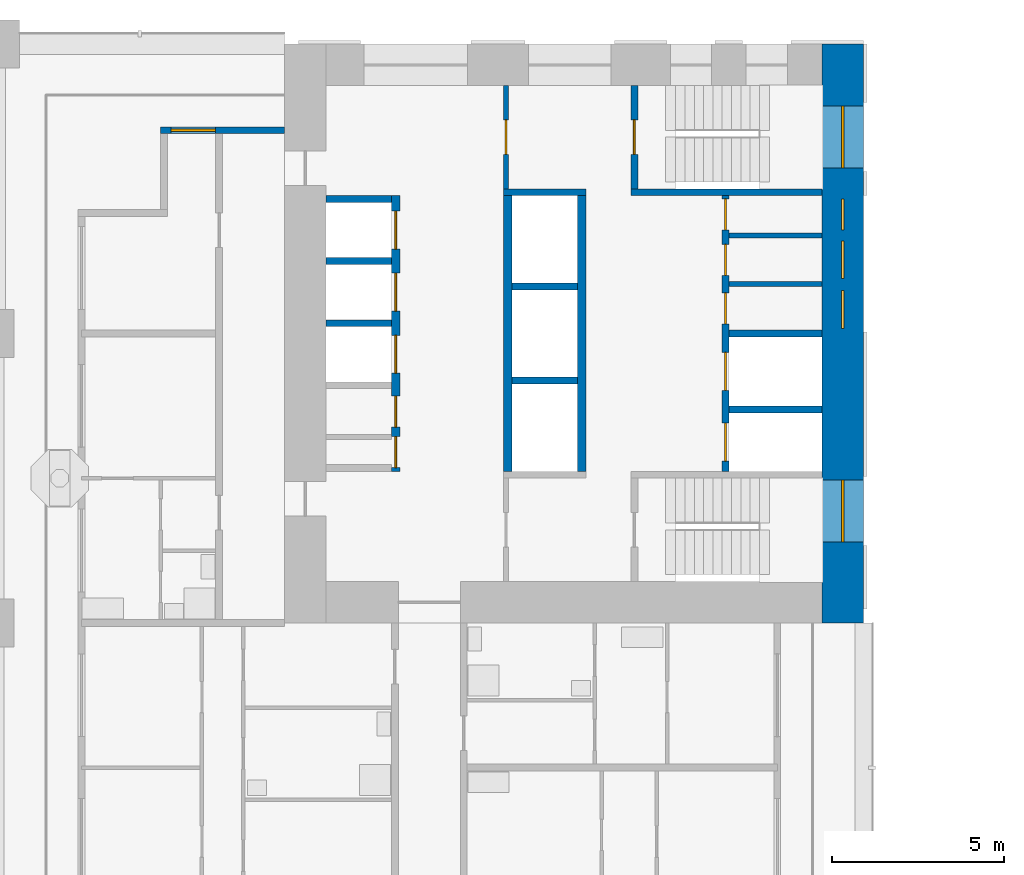
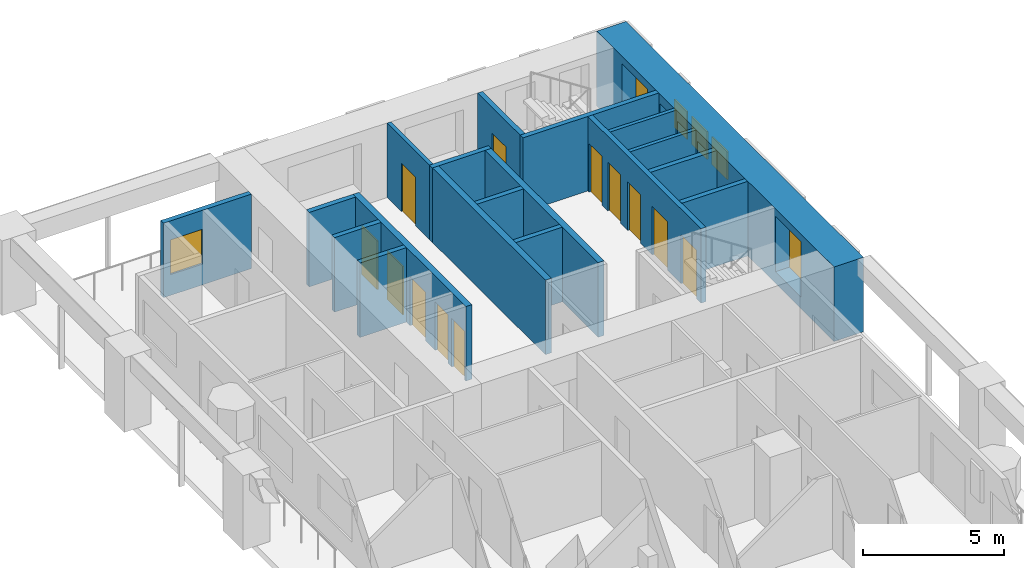
# One storey, part 10 of 22: 19 walls, 12 doors, 6 windows, 18 openings.
"""IFC4 building model written with IfcOpenShell, lengths in metres."""

from ifc_helpers import new_model, si_unit, direction, frame, frame_2d, origin, place, context, subcontext, project, spatial, rectangle, extrude, material, layer, layer_set, type_object, element, fill, save


model = new_model("IFC4")

# Units and contexts
model_context = context("Model", 3, precision=1e-05, world=origin(), true_north=direction((0.0, 1.0)))
body_context = subcontext(model_context, "Body", "Model", "MODEL_VIEW")
ifc_project = project(units=[si_unit("LENGTHUNIT", "METRE"), si_unit("AREAUNIT", "SQUARE_METRE"), si_unit("VOLUMEUNIT", "CUBIC_METRE"), si_unit("PLANEANGLEUNIT", "RADIAN"), si_unit("MASSUNIT", "GRAM", prefix="KILO")], contexts=[model_context])

# Site, building, storey
site_placement = place(None, origin())
site = spatial("IfcSite", under=ifc_project, at=site_placement, CompositionType="ELEMENT")
building_placement = place(site_placement, origin())
building = spatial("IfcBuilding", under=site, at=building_placement, Name="Vermilion Gate Residences", CompositionType="ELEMENT")
storey_placement = place(building_placement, frame((0.0, 0.0, 56.699951171875)))
storey = spatial("IfcBuildingStorey", under=building, at=storey_placement, Name="L13", CompositionType="ELEMENT", Elevation=56.699951171875)

# Walls
ifc_material_1 = material(Name="Masonry blockwork", Category="masonry")
ifc_layer_1 = layer(ifc_material_1, 0.14990234375)
ifc_layer_set_1 = layer_set([ifc_layer_1], Name="BLOCKWORK PARTITION 150 EI 120")
wall_type_1 = type_object("IfcWallType", Name="BLOCKWORK PARTITION 150 EI 120", PredefinedType="PARTITIONING", material=ifc_layer_set_1)
for number, where, z_axis, x_axis, name in (
    (1, (21.300048828125, 53.2451171875, 0.0), (0.0, 0.0, 1.0), (1.0, 0.0, 0.0), "Core room partition B13-NR-P0"),
    (2, (21.300048828125, 51.8349609375, 0.0), (0.0, 0.0, 1.0), (1.0, 0.0, 0.0), "Core room partition B13-NR-P1"),
):
    element("IfcWall", number, at=place(storey_placement, frame(where, z_axis=z_axis, x_axis=x_axis)), inside=storey, type_object=wall_type_1, Name=name, PredefinedType="PARTITIONING", context=body_context, shape_type="SweptSolid", body=[
        extrude(rectangle(XDim=2.699951171875, YDim=0.14990234375, at=frame_2d((1.35009765625, 0.0))), origin(), (0.0, 0.0, 1.0), 3.219970703125),
    ])

# Wall, opening, door
wall_1_placement = place(storey_placement, frame((14.824951171875, 57.60009765625, 0.0), z_axis=(0.0, 0.0, 1.0), x_axis=(0.0, -1.0, 0.0)))
wall_1 = element("IfcWall", 3, at=wall_1_placement, inside=storey, type_object=wall_type_1, Name="Core room partition B13-VW-S", PredefinedType="PARTITIONING", context=body_context, shape_type="SweptSolid", body=[
    extrude(rectangle(XDim=3.0, YDim=0.14990234375, at=frame_2d((1.5, 0.0))), origin(), (0.0, 0.0, 1.0), 3.219970703125),
])
opening_1_placement = place(wall_1_placement, frame((1.0, 0.0, 0.0)))
opening_1 = element("IfcOpeningElement", 4, at=opening_1_placement, cuts=wall_1, Name="Opening DK13114", PredefinedType="OPENING", context=body_context, shape_type="SweptSolid", body=[
    extrude(rectangle(XDim=1.0, YDim=2.10009765625, at=frame_2d((0.5, 1.050048828125))), frame((0.0, 0.0849609375, 0.0), z_axis=(0.0, -1.0, 0.0), x_axis=(1.0, 0.0, 0.0)), (0.0, 0.0, 1.0), 0.169921875),
])
ifc_material_2 = material(Name="Steel", Category="steel")
door_type_1 = type_object("IfcDoorType", Name="FIRE DOOR FD60 1000 X 2100", OperationType="SINGLE_SWING_LEFT", PredefinedType="DOOR", material=ifc_material_2)
door_1_placement = place(opening_1_placement, frame((1.0, 0.0, 0.0), z_axis=(0.0, 0.0, 1.0), x_axis=(-1.0, 0.0, 0.0)))
door_1 = element("IfcDoor", 5, at=door_1_placement, inside=storey, type_object=door_type_1, Name="Stair vestibule door B13", OperationType="SINGLE_SWING_RIGHT", OverallHeight=2.10009765625, OverallWidth=1.0, PredefinedType="DOOR", context=body_context, shape_type="SweptSolid", body=[
    extrude(rectangle(XDim=1.0, YDim=2.10009765625, at=frame_2d((0.5, 1.050048828125))), frame((0.0, 0.02490234375, 0.0), z_axis=(0.0, -1.0, 0.0), x_axis=(1.0, 0.0, 0.0)), (0.0, 0.0, 1.0), 0.050048828125),
])
fill(opening_1, door_1)

# Wall, opening, window
ifc_material_3 = material(Name="Insulated steel stud wall with terracotta rainscreen", Category="masonry")
ifc_layer_2 = layer(ifc_material_3, 0.199951171875)
ifc_layer_set_2 = layer_set([ifc_layer_2], Name="EXTERNAL WALL 200 TERRACOTTA RAINSCREEN")
wall_type_2 = type_object("IfcWallType", Name="EXTERNAL WALL 200 TERRACOTTA RAINSCREEN", PredefinedType="SOLIDWALL", material=ifc_layer_set_2)
wall_2_placement = place(storey_placement, frame((8.39990234375, 56.300048828125, 0.0), z_axis=(0.0, 0.0, 1.0), x_axis=(-1.0, 0.0, 0.0)))
wall_2 = element("IfcWall", 6, at=wall_2_placement, inside=storey, type_object=wall_type_2, Name="External wall", PredefinedType="SOLIDWALL", context=body_context, shape_type="SweptSolid", body=[
    extrude(rectangle(XDim=3.599853515625, YDim=0.199951171875, at=frame_2d((1.7998046875, 0.0))), origin(), (0.0, 0.0, 1.0), 3.219970703125),
])
opening_2_placement = place(wall_2_placement, frame((2.0, 0.0, 0.89990234375)))
opening_2 = element("IfcOpeningElement", 7, at=opening_2_placement, cuts=wall_2, Name="Opening WE13001", PredefinedType="OPENING", context=body_context, shape_type="SweptSolid", body=[
    extrude(rectangle(XDim=1.300048828125, YDim=1.5, at=frame_2d((0.64990234375, 0.75))), frame((0.0, 0.10986328125, 0.0), z_axis=(0.0, -1.0, 0.0), x_axis=(1.0, 0.0, 0.0)), (0.0, 0.0, 1.0), 0.219970703125),
])
ifc_material_4 = material(Name="Aluminium and clear glass", Category="aluminium")
window_type_1 = type_object("IfcWindowType", Name="WINDOW 1300 X 1500", PartitioningType="SINGLE_PANEL", PredefinedType="WINDOW", material=ifc_material_4)
window_1_placement = place(opening_2_placement, origin())
window_1 = element("IfcWindow", 8, at=window_1_placement, inside=storey, type_object=window_type_1, Name="Window", OverallHeight=1.5, OverallWidth=1.300048828125, PartitioningType="SINGLE_PANEL", PredefinedType="WINDOW", context=body_context, shape_type="SweptSolid", body=[
    extrude(rectangle(XDim=1.300048828125, YDim=1.5, at=frame_2d((0.64990234375, 0.75))), frame((0.0, 0.030029296875, 0.0), z_axis=(0.0, -1.0, 0.0), x_axis=(1.0, 0.0, 0.0)), (0.0, 0.0, 1.0), 0.06005859375),
])
fill(opening_2, window_1)

# Walls
ifc_material_5 = material(Name="Concrete C60", Category="concrete")
ifc_layer_3 = layer(ifc_material_5, 0.199951171875)
ifc_layer_set_3 = layer_set([ifc_layer_3], Name="RC CORE INTERNAL WALL 200 C60")
wall_type_3 = type_object("IfcWallType", Name="RC CORE INTERNAL WALL 200 C60", PredefinedType="SHEAR", material=ifc_layer_set_3)
for number, where, z_axis, x_axis, name in (
    (9, (9.60009765625, 54.300048828125, 0.0), (0.0, 0.0, 1.0), (1.0, 0.0, 0.0), "Core internal wall B13-LR-D0"),
    (10, (9.60009765625, 52.5, 0.0), (0.0, 0.0, 1.0), (1.0, 0.0, 0.0), "Core internal wall B13-LR-D1"),
    (11, (9.60009765625, 50.699951171875, 0.0), (0.0, 0.0, 1.0), (1.0, 0.0, 0.0), "Core internal wall B13-LR-D2"),
    (12, (15.0, 51.7666015625, 0.0), (0.0, 0.0, 1.0), (1.0, 0.0, 0.0), "Core internal wall B13-HR-D1"),
    (13, (15.0, 49.033447265625, 0.0), (0.0, 0.0, 1.0), (1.0, 0.0, 0.0), "Core internal wall B13-HR-D2"),
):
    element("IfcWall", number, at=place(storey_placement, frame(where, z_axis=z_axis, x_axis=x_axis)), inside=storey, type_object=wall_type_3, Name=name, PredefinedType="SHEAR", context=body_context, shape_type="SweptSolid", body=[
        extrude(rectangle(XDim=1.89990234375, YDim=0.199951171875, at=frame_2d((0.949951171875, 0.0))), origin(), (0.0, 0.0, 1.0), 3.219970703125),
    ])
for number, where, z_axis, x_axis, name in (
    (14, (21.300048828125, 50.39990234375, 0.0), (0.0, 0.0, 1.0), (1.0, 0.0, 0.0), "Core internal wall B13-FF-D0"),
    (15, (21.300048828125, 48.199951171875, 0.0), (0.0, 0.0, 1.0), (1.0, 0.0, 0.0), "Core internal wall B13-FF-D1"),
):
    element("IfcWall", number, at=place(storey_placement, frame(where, z_axis=z_axis, x_axis=x_axis)), inside=storey, type_object=wall_type_3, Name=name, PredefinedType="SHEAR", context=body_context, shape_type="SweptSolid", body=[
        extrude(rectangle(XDim=2.699951171875, YDim=0.199951171875, at=frame_2d((1.35009765625, 0.0))), origin(), (0.0, 0.0, 1.0), 3.219970703125),
    ])

# Wall, openings, doors
wall_3_placement = place(storey_placement, frame((21.199951171875, 54.39990234375, 0.0), z_axis=(0.0, 0.0, 1.0), x_axis=(0.0, -1.0, 0.0)))
wall_3 = element("IfcWall", 16, at=wall_3_placement, inside=storey, type_object=wall_type_3, Name="Core internal wall B13-FF-F", PredefinedType="SHEAR", context=body_context, shape_type="SweptSolid", body=[
    extrude(rectangle(XDim=8.0, YDim=0.199951171875, at=frame_2d((4.0, 0.0))), origin(), (0.0, 0.0, 1.0), 3.219970703125),
])
opening_3_placement = place(wall_3_placement, frame((0.090087890625, 0.0, 0.0)))
opening_3 = element("IfcOpeningElement", 17, at=opening_3_placement, cuts=wall_3, Name="Opening DK13109", PredefinedType="OPENING", context=body_context, shape_type="SweptSolid", body=[
    extrude(rectangle(XDim=0.89990234375, YDim=2.10009765625, at=frame_2d((0.449951171875, 1.050048828125))), frame((0.0, 0.10986328125, 0.0), z_axis=(0.0, -1.0, 0.0), x_axis=(1.0, 0.0, 0.0)), (0.0, 0.0, 1.0), 0.219970703125),
])
opening_4_placement = place(wall_3_placement, frame((1.409912109375, 0.0, 0.0)))
opening_4 = element("IfcOpeningElement", 18, at=opening_4_placement, cuts=wall_3, Name="Opening DK13110", PredefinedType="OPENING", context=body_context, shape_type="SweptSolid", body=[
    extrude(rectangle(XDim=0.89990234375, YDim=2.10009765625, at=frame_2d((0.449951171875, 1.050048828125))), frame((0.0, 0.10986328125, 0.0), z_axis=(0.0, -1.0, 0.0), x_axis=(1.0, 0.0, 0.0)), (0.0, 0.0, 1.0), 0.219970703125),
])
opening_5_placement = place(wall_3_placement, frame((2.820068359375, 0.0, 0.0)))
opening_5 = element("IfcOpeningElement", 19, at=opening_5_placement, cuts=wall_3, Name="Opening DK13111", PredefinedType="OPENING", context=body_context, shape_type="SweptSolid", body=[
    extrude(rectangle(XDim=0.89990234375, YDim=2.10009765625, at=frame_2d((0.449951171875, 1.050048828125))), frame((0.0, 0.10986328125, 0.0), z_axis=(0.0, -1.0, 0.0), x_axis=(1.0, 0.0, 0.0)), (0.0, 0.0, 1.0), 0.219970703125),
])
opening_6_placement = place(wall_3_placement, frame((4.550048828125, 0.0, 0.0)))
opening_6 = element("IfcOpeningElement", 20, at=opening_6_placement, cuts=wall_3, Name="Opening LD", PredefinedType="OPENING", context=body_context, shape_type="SweptSolid", body=[
    extrude(rectangle(XDim=1.10009765625, YDim=2.10009765625, at=frame_2d((0.550048828125, 1.050048828125))), frame((0.0, 0.10986328125, 0.0), z_axis=(0.0, -1.0, 0.0), x_axis=(1.0, 0.0, 0.0)), (0.0, 0.0, 1.0), 0.219970703125),
])
opening_7_placement = place(wall_3_placement, frame((6.60009765625, 0.0, 0.0)))
opening_7 = element("IfcOpeningElement", 21, at=opening_7_placement, cuts=wall_3, Name="Opening LD", PredefinedType="OPENING", context=body_context, shape_type="SweptSolid", body=[
    extrude(rectangle(XDim=1.10009765625, YDim=2.10009765625, at=frame_2d((0.550048828125, 1.050048828125))), frame((0.0, 0.10986328125, 0.0), z_axis=(0.0, -1.0, 0.0), x_axis=(1.0, 0.0, 0.0)), (0.0, 0.0, 1.0), 0.219970703125),
])
ifc_material_6 = material(Name="Stainless steel", Category="steel")
door_type_2 = type_object("IfcDoorType", Name="LIFT LANDING DOOR E60 1100 X 2100", OperationType="DOUBLE_DOOR_SLIDING", PredefinedType="DOOR", material=ifc_material_6)
door_2_placement = place(opening_6_placement, origin())
door_2 = element("IfcDoor", 22, at=door_2_placement, inside=storey, type_object=door_type_2, Name="Lift landing door LFB1", OperationType="DOUBLE_DOOR_SLIDING", OverallHeight=2.10009765625, OverallWidth=1.10009765625, PredefinedType="DOOR", context=body_context, shape_type="SweptSolid", body=[
    extrude(rectangle(XDim=1.10009765625, YDim=2.10009765625, at=frame_2d((0.550048828125, 1.050048828125))), frame((0.0, 0.02490234375, 0.0), z_axis=(0.0, -1.0, 0.0), x_axis=(1.0, 0.0, 0.0)), (0.0, 0.0, 1.0), 0.050048828125),
])
fill(opening_6, door_2)
door_3_placement = place(opening_7_placement, origin())
door_3 = element("IfcDoor", 23, at=door_3_placement, inside=storey, type_object=door_type_2, Name="Lift landing door LCB1", OperationType="DOUBLE_DOOR_SLIDING", OverallHeight=2.10009765625, OverallWidth=1.10009765625, PredefinedType="DOOR", context=body_context, shape_type="SweptSolid", body=[
    extrude(rectangle(XDim=1.10009765625, YDim=2.10009765625, at=frame_2d((0.550048828125, 1.050048828125))), frame((0.0, 0.02490234375, 0.0), z_axis=(0.0, -1.0, 0.0), x_axis=(1.0, 0.0, 0.0)), (0.0, 0.0, 1.0), 0.050048828125),
])
fill(opening_7, door_3)
ifc_material_7 = material(Name="Steel", Category="steel")
door_type_3 = type_object("IfcDoorType", Name="SERVICE ROOM DOOR FD60 900 X 2100", OperationType="SINGLE_SWING_LEFT", PredefinedType="DOOR", material=ifc_material_7)
door_4_placement = place(opening_3_placement, origin())
door_4 = element("IfcDoor", 24, at=door_4_placement, inside=storey, type_object=door_type_3, Name="Housekeeping store B13", OperationType="SINGLE_SWING_RIGHT", OverallHeight=2.10009765625, OverallWidth=0.89990234375, PredefinedType="DOOR", context=body_context, shape_type="SweptSolid", body=[
    extrude(rectangle(XDim=0.89990234375, YDim=2.10009765625, at=frame_2d((0.449951171875, 1.050048828125))), frame((0.0, 0.02490234375, 0.0), z_axis=(0.0, -1.0, 0.0), x_axis=(1.0, 0.0, 0.0)), (0.0, 0.0, 1.0), 0.050048828125),
])
fill(opening_3, door_4)
door_5_placement = place(opening_4_placement, origin())
door_5 = element("IfcDoor", 25, at=door_5_placement, inside=storey, type_object=door_type_3, Name="Mail room B13", OperationType="SINGLE_SWING_LEFT", OverallHeight=2.10009765625, OverallWidth=0.89990234375, PredefinedType="DOOR", context=body_context, shape_type="SweptSolid", body=[
    extrude(rectangle(XDim=0.89990234375, YDim=2.10009765625, at=frame_2d((0.449951171875, 1.050048828125))), frame((0.0, 0.02490234375, 0.0), z_axis=(0.0, -1.0, 0.0), x_axis=(1.0, 0.0, 0.0)), (0.0, 0.0, 1.0), 0.050048828125),
])
fill(opening_4, door_5)
door_6_placement = place(opening_5_placement, origin())
door_6 = element("IfcDoor", 26, at=door_6_placement, inside=storey, type_object=door_type_3, Name="Electrical riser B13", OperationType="SINGLE_SWING_LEFT", OverallHeight=2.10009765625, OverallWidth=0.89990234375, PredefinedType="DOOR", context=body_context, shape_type="SweptSolid", body=[
    extrude(rectangle(XDim=0.89990234375, YDim=2.10009765625, at=frame_2d((0.449951171875, 1.050048828125))), frame((0.0, 0.02490234375, 0.0), z_axis=(0.0, -1.0, 0.0), x_axis=(1.0, 0.0, 0.0)), (0.0, 0.0, 1.0), 0.050048828125),
])
fill(opening_5, door_6)

# Walls
wall_4_placement = place(storey_placement, frame((14.75, 54.5, 0.0), z_axis=(0.0, 0.0, 1.0), x_axis=(1.0, 0.0, 0.0)))
element("IfcWall", 27, at=wall_4_placement, inside=storey, type_object=wall_type_3, Name="Core internal wall B13-WDIV1", PredefinedType="SHEAR", context=body_context, shape_type="SweptSolid", body=[
    extrude(rectangle(XDim=2.39990234375, YDim=0.199951171875, at=frame_2d((1.199951171875, 0.0))), origin(), (0.0, 0.0, 1.0), 3.219970703125),
])
wall_5_placement = place(storey_placement, frame((18.449951171875, 54.5, 0.0), z_axis=(0.0, 0.0, 1.0), x_axis=(1.0, 0.0, 0.0)))
element("IfcWall", 28, at=wall_5_placement, inside=storey, type_object=wall_type_3, Name="Core internal wall B13-WDIV2", PredefinedType="SHEAR", context=body_context, shape_type="SweptSolid", body=[
    extrude(rectangle(XDim=5.550048828125, YDim=0.199951171875, at=frame_2d((2.77490234375, 0.0))), origin(), (0.0, 0.0, 1.0), 3.219970703125),
])

# Wall, opening, door
wall_6_placement = place(storey_placement, frame((18.550048828125, 57.60009765625, 0.0), z_axis=(0.0, 0.0, 1.0), x_axis=(0.0, -1.0, 0.0)))
wall_6 = element("IfcWall", 29, at=wall_6_placement, inside=storey, type_object=wall_type_3, Name="Core internal wall B13-STW-S", PredefinedType="SHEAR", context=body_context, shape_type="SweptSolid", body=[
    extrude(rectangle(XDim=3.0, YDim=0.199951171875, at=frame_2d((1.5, 0.0))), origin(), (0.0, 0.0, 1.0), 3.219970703125),
])
opening_8_placement = place(wall_6_placement, frame((1.0, 0.0, 0.0)))
opening_8 = element("IfcOpeningElement", 30, at=opening_8_placement, cuts=wall_6, Name="Opening DK13115", PredefinedType="OPENING", context=body_context, shape_type="SweptSolid", body=[
    extrude(rectangle(XDim=1.0, YDim=2.10009765625, at=frame_2d((0.5, 1.050048828125))), frame((0.0, 0.10986328125, 0.0), z_axis=(0.0, -1.0, 0.0), x_axis=(1.0, 0.0, 0.0)), (0.0, 0.0, 1.0), 0.219970703125),
])
door_7_placement = place(opening_8_placement, origin())
door_7 = element("IfcDoor", 31, at=door_7_placement, inside=storey, type_object=door_type_1, Name="Stair door B13", OperationType="SINGLE_SWING_LEFT", OverallHeight=2.10009765625, OverallWidth=1.0, PredefinedType="DOOR", context=body_context, shape_type="SweptSolid", body=[
    extrude(rectangle(XDim=1.0, YDim=2.10009765625, at=frame_2d((0.5, 1.050048828125))), frame((0.0, 0.02490234375, 0.0), z_axis=(0.0, -1.0, 0.0), x_axis=(1.0, 0.0, 0.0)), (0.0, 0.0, 1.0), 0.050048828125),
])
fill(opening_8, door_7)

# Wall, openings, windows
ifc_material_8 = material(Name="Concrete C80 red-oxide pigmented", Category="concrete")
ifc_layer_4 = layer(ifc_material_8, 1.199951171875)
ifc_layer_set_4 = layer_set([ifc_layer_4], Name="RC CORE WALL 1200 C80 RED OXIDE")
wall_type_4 = type_object("IfcWallType", Name="RC CORE WALL 1200 C80 RED OXIDE", PredefinedType="SHEAR", material=ifc_layer_set_4)
wall_7_placement = place(storey_placement, frame((24.60009765625, 58.800048828125, 0.0), z_axis=(0.0, 0.0, 1.0), x_axis=(0.0, -1.0, 0.0)))
wall_7 = element("IfcWall", 32, at=wall_7_placement, inside=storey, type_object=wall_type_4, Name="Core wall B13-OUT-B1", PredefinedType="SHEAR", context=body_context, shape_type="SweptSolid", body=[
    extrude(rectangle(XDim=16.800048828125, YDim=1.199951171875, at=frame_2d((8.39990234375, 0.0))), origin(), (0.0, 0.0, 1.0), 3.219970703125),
])
opening_9_placement = place(wall_7_placement, frame((1.800048828125, 0.0, 0.5)))
opening_9 = element("IfcOpeningElement", 33, at=opening_9_placement, cuts=wall_7, Name="Opening WKB1301", PredefinedType="OPENING", context=body_context, shape_type="SweptSolid", body=[
    extrude(rectangle(XDim=1.800048828125, YDim=2.39990234375, at=frame_2d((0.89990234375, 1.199951171875))), frame((0.0, 0.60986328125, 0.0), z_axis=(0.0, -1.0, 0.0), x_axis=(1.0, 0.0, 0.0)), (0.0, 0.0, 1.0), 1.219970703125),
])
opening_10_placement = place(wall_7_placement, frame((4.489990234375, 0.0, 1.60009765625)))
opening_10 = element("IfcOpeningElement", 34, at=opening_10_placement, cuts=wall_7, Name="Opening WKB1302", PredefinedType="OPENING", context=body_context, shape_type="SweptSolid", body=[
    extrude(rectangle(XDim=0.89990234375, YDim=1.199951171875, at=frame_2d((0.449951171875, 0.60009765625))), frame((0.0, 0.60986328125, 0.0), z_axis=(0.0, -1.0, 0.0), x_axis=(1.0, 0.0, 0.0)), (0.0, 0.0, 1.0), 1.219970703125),
])
opening_11_placement = place(wall_7_placement, frame((5.7099609375, 0.0, 1.60009765625)))
opening_11 = element("IfcOpeningElement", 35, at=opening_11_placement, cuts=wall_7, Name="Opening WKB1303", PredefinedType="OPENING", context=body_context, shape_type="SweptSolid", body=[
    extrude(rectangle(XDim=1.10009765625, YDim=1.199951171875, at=frame_2d((0.550048828125, 0.60009765625))), frame((0.0, 0.60986328125, 0.0), z_axis=(0.0, -1.0, 0.0), x_axis=(1.0, 0.0, 0.0)), (0.0, 0.0, 1.0), 1.219970703125),
])
opening_12_placement = place(wall_7_placement, frame((7.14990234375, 0.0, 1.60009765625)))
opening_12 = element("IfcOpeningElement", 36, at=opening_12_placement, cuts=wall_7, Name="Opening WKB1304", PredefinedType="OPENING", context=body_context, shape_type="SweptSolid", body=[
    extrude(rectangle(XDim=1.10009765625, YDim=1.199951171875, at=frame_2d((0.550048828125, 0.60009765625))), frame((0.0, 0.60986328125, 0.0), z_axis=(0.0, -1.0, 0.0), x_axis=(1.0, 0.0, 0.0)), (0.0, 0.0, 1.0), 1.219970703125),
])
opening_13_placement = place(wall_7_placement, frame((12.64990234375, 0.0, 0.5)))
opening_13 = element("IfcOpeningElement", 37, at=opening_13_placement, cuts=wall_7, Name="Opening WKB1305", PredefinedType="OPENING", context=body_context, shape_type="SweptSolid", body=[
    extrude(rectangle(XDim=1.800048828125, YDim=2.39990234375, at=frame_2d((0.89990234375, 1.199951171875))), frame((0.0, 0.60986328125, 0.0), z_axis=(0.0, -1.0, 0.0), x_axis=(1.0, 0.0, 0.0)), (0.0, 0.0, 1.0), 1.219970703125),
])
ifc_material_9 = material(Name="Aluminium frame with louvre blades", Category="aluminium")
window_type_2 = type_object("IfcWindowType", Name="CORE LOUVRE 1100 X 1200", PartitioningType="SINGLE_PANEL", PredefinedType="WINDOW", material=ifc_material_9)
window_2_placement = place(opening_11_placement, origin())
window_2 = element("IfcWindow", 38, at=window_2_placement, inside=storey, type_object=window_type_2, Name="Core louvre", OverallHeight=1.199951171875, OverallWidth=1.10009765625, PartitioningType="SINGLE_PANEL", PredefinedType="WINDOW", context=body_context, shape_type="SweptSolid", body=[
    extrude(rectangle(XDim=1.10009765625, YDim=1.199951171875, at=frame_2d((0.550048828125, 0.60009765625))), frame((0.0, 0.030029296875, 0.0), z_axis=(0.0, -1.0, 0.0), x_axis=(1.0, 0.0, 0.0)), (0.0, 0.0, 1.0), 0.06005859375),
])
fill(opening_11, window_2)
window_3_placement = place(opening_12_placement, origin())
window_3 = element("IfcWindow", 39, at=window_3_placement, inside=storey, type_object=window_type_2, Name="Core louvre", OverallHeight=1.199951171875, OverallWidth=1.10009765625, PartitioningType="SINGLE_PANEL", PredefinedType="WINDOW", context=body_context, shape_type="SweptSolid", body=[
    extrude(rectangle(XDim=1.10009765625, YDim=1.199951171875, at=frame_2d((0.550048828125, 0.60009765625))), frame((0.0, 0.030029296875, 0.0), z_axis=(0.0, -1.0, 0.0), x_axis=(1.0, 0.0, 0.0)), (0.0, 0.0, 1.0), 0.06005859375),
])
fill(opening_12, window_3)
ifc_material_10 = material(Name="Aluminium frame with louvre blades", Category="aluminium")
window_type_3 = type_object("IfcWindowType", Name="CORE LOUVRE 900 X 1200", PartitioningType="SINGLE_PANEL", PredefinedType="WINDOW", material=ifc_material_10)
window_4_placement = place(opening_10_placement, origin())
window_4 = element("IfcWindow", 40, at=window_4_placement, inside=storey, type_object=window_type_3, Name="Core louvre", OverallHeight=1.199951171875, OverallWidth=0.89990234375, PartitioningType="SINGLE_PANEL", PredefinedType="WINDOW", context=body_context, shape_type="SweptSolid", body=[
    extrude(rectangle(XDim=0.89990234375, YDim=1.199951171875, at=frame_2d((0.449951171875, 0.60009765625))), frame((0.0, 0.030029296875, 0.0), z_axis=(0.0, -1.0, 0.0), x_axis=(1.0, 0.0, 0.0)), (0.0, 0.0, 1.0), 0.06005859375),
])
fill(opening_10, window_4)
ifc_material_11 = material(Name="Aluminium and clear glass", Category="aluminium")
window_type_4 = type_object("IfcWindowType", Name="CORE STAIR WINDOW 1800 X 2400", PartitioningType="SINGLE_PANEL", PredefinedType="WINDOW", material=ifc_material_11)
window_5_placement = place(opening_9_placement, origin())
window_5 = element("IfcWindow", 41, at=window_5_placement, inside=storey, type_object=window_type_4, Name="Core stair window", OverallHeight=2.39990234375, OverallWidth=1.800048828125, PartitioningType="SINGLE_PANEL", PredefinedType="WINDOW", context=body_context, shape_type="SweptSolid", body=[
    extrude(rectangle(XDim=1.800048828125, YDim=2.39990234375, at=frame_2d((0.89990234375, 1.199951171875))), frame((0.0, 0.030029296875, 0.0), z_axis=(0.0, -1.0, 0.0), x_axis=(1.0, 0.0, 0.0)), (0.0, 0.0, 1.0), 0.06005859375),
])
fill(opening_9, window_5)
window_6_placement = place(opening_13_placement, origin())
window_6 = element("IfcWindow", 42, at=window_6_placement, inside=storey, type_object=window_type_4, Name="Core stair window", OverallHeight=2.39990234375, OverallWidth=1.800048828125, PartitioningType="SINGLE_PANEL", PredefinedType="WINDOW", context=body_context, shape_type="SweptSolid", body=[
    extrude(rectangle(XDim=1.800048828125, YDim=2.39990234375, at=frame_2d((0.89990234375, 1.199951171875))), frame((0.0, 0.030029296875, 0.0), z_axis=(0.0, -1.0, 0.0), x_axis=(1.0, 0.0, 0.0)), (0.0, 0.0, 1.0), 0.06005859375),
])
fill(opening_13, window_6)

# Wall, openings, doors
ifc_material_12 = material(Name="Concrete C60", Category="concrete")
ifc_layer_5 = layer(ifc_material_12, 0.25)
ifc_layer_set_5 = layer_set([ifc_layer_5], Name="RC LIFT SHAFT WALL 250 C60")
wall_type_5 = type_object("IfcWallType", Name="RC LIFT SHAFT WALL 250 C60", PredefinedType="SHEAR", material=ifc_layer_set_5)
wall_8_placement = place(storey_placement, frame((11.625, 54.39990234375, 0.0), z_axis=(0.0, 0.0, 1.0), x_axis=(0.0, -1.0, 0.0)))
wall_8 = element("IfcWall", 43, at=wall_8_placement, inside=storey, type_object=wall_type_5, Name="Lift shaft wall B13-LR-F", PredefinedType="SHEAR", context=body_context, shape_type="SweptSolid", body=[
    extrude(rectangle(XDim=8.0, YDim=0.25, at=frame_2d((4.0, 0.0))), origin(), (0.0, 0.0, 1.0), 3.219970703125),
])
opening_14_placement = place(wall_8_placement, frame((0.449951171875, 0.0, 0.0)))
opening_14 = element("IfcOpeningElement", 44, at=opening_14_placement, cuts=wall_8, Name="Opening LD", PredefinedType="OPENING", context=body_context, shape_type="SweptSolid", body=[
    extrude(rectangle(XDim=1.10009765625, YDim=2.10009765625, at=frame_2d((0.550048828125, 1.050048828125))), frame((0.0, 0.135009765625, 0.0), z_axis=(0.0, -1.0, 0.0), x_axis=(1.0, 0.0, 0.0)), (0.0, 0.0, 1.0), 0.27001953125),
])
opening_15_placement = place(wall_8_placement, frame((2.25, 0.0, 0.0)))
opening_15 = element("IfcOpeningElement", 45, at=opening_15_placement, cuts=wall_8, Name="Opening LD", PredefinedType="OPENING", context=body_context, shape_type="SweptSolid", body=[
    extrude(rectangle(XDim=1.10009765625, YDim=2.10009765625, at=frame_2d((0.550048828125, 1.050048828125))), frame((0.0, 0.135009765625, 0.0), z_axis=(0.0, -1.0, 0.0), x_axis=(1.0, 0.0, 0.0)), (0.0, 0.0, 1.0), 0.27001953125),
])
opening_16_placement = place(wall_8_placement, frame((4.050048828125, 0.0, 0.0)))
opening_16 = element("IfcOpeningElement", 46, at=opening_16_placement, cuts=wall_8, Name="Opening LD", PredefinedType="OPENING", context=body_context, shape_type="SweptSolid", body=[
    extrude(rectangle(XDim=1.10009765625, YDim=2.10009765625, at=frame_2d((0.550048828125, 1.050048828125))), frame((0.0, 0.135009765625, 0.0), z_axis=(0.0, -1.0, 0.0), x_axis=(1.0, 0.0, 0.0)), (0.0, 0.0, 1.0), 0.27001953125),
])
opening_17_placement = place(wall_8_placement, frame((5.816162109375, 0.0, 0.0)))
opening_17 = element("IfcOpeningElement", 47, at=opening_17_placement, cuts=wall_8, Name="Opening DK13107", PredefinedType="OPENING", context=body_context, shape_type="SweptSolid", body=[
    extrude(rectangle(XDim=0.89990234375, YDim=2.10009765625, at=frame_2d((0.449951171875, 1.050048828125))), frame((0.0, 0.135009765625, 0.0), z_axis=(0.0, -1.0, 0.0), x_axis=(1.0, 0.0, 0.0)), (0.0, 0.0, 1.0), 0.27001953125),
])
opening_18_placement = place(wall_8_placement, frame((6.9912109375, 0.0, 0.0)))
opening_18 = element("IfcOpeningElement", 48, at=opening_18_placement, cuts=wall_8, Name="Opening DK13108", PredefinedType="OPENING", context=body_context, shape_type="SweptSolid", body=[
    extrude(rectangle(XDim=0.89990234375, YDim=2.10009765625, at=frame_2d((0.449951171875, 1.050048828125))), frame((0.0, 0.135009765625, 0.0), z_axis=(0.0, -1.0, 0.0), x_axis=(1.0, 0.0, 0.0)), (0.0, 0.0, 1.0), 0.27001953125),
])
door_8_placement = place(opening_14_placement, origin())
door_8 = element("IfcDoor", 49, at=door_8_placement, inside=storey, type_object=door_type_2, Name="Lift landing door LRB1", OperationType="DOUBLE_DOOR_SLIDING", OverallHeight=2.10009765625, OverallWidth=1.10009765625, PredefinedType="DOOR", context=body_context, shape_type="SweptSolid", body=[
    extrude(rectangle(XDim=1.10009765625, YDim=2.10009765625, at=frame_2d((0.550048828125, 1.050048828125))), frame((0.0, 0.02490234375, 0.0), z_axis=(0.0, -1.0, 0.0), x_axis=(1.0, 0.0, 0.0)), (0.0, 0.0, 1.0), 0.050048828125),
])
fill(opening_14, door_8)
door_9_placement = place(opening_15_placement, origin())
door_9 = element("IfcDoor", 50, at=door_9_placement, inside=storey, type_object=door_type_2, Name="Lift landing door LRB2", OperationType="DOUBLE_DOOR_SLIDING", OverallHeight=2.10009765625, OverallWidth=1.10009765625, PredefinedType="DOOR", context=body_context, shape_type="SweptSolid", body=[
    extrude(rectangle(XDim=1.10009765625, YDim=2.10009765625, at=frame_2d((0.550048828125, 1.050048828125))), frame((0.0, 0.02490234375, 0.0), z_axis=(0.0, -1.0, 0.0), x_axis=(1.0, 0.0, 0.0)), (0.0, 0.0, 1.0), 0.050048828125),
])
fill(opening_15, door_9)
door_10_placement = place(opening_16_placement, origin())
door_10 = element("IfcDoor", 51, at=door_10_placement, inside=storey, type_object=door_type_2, Name="Lift landing door LRB3", OperationType="DOUBLE_DOOR_SLIDING", OverallHeight=2.10009765625, OverallWidth=1.10009765625, PredefinedType="DOOR", context=body_context, shape_type="SweptSolid", body=[
    extrude(rectangle(XDim=1.10009765625, YDim=2.10009765625, at=frame_2d((0.550048828125, 1.050048828125))), frame((0.0, 0.02490234375, 0.0), z_axis=(0.0, -1.0, 0.0), x_axis=(1.0, 0.0, 0.0)), (0.0, 0.0, 1.0), 0.050048828125),
])
fill(opening_16, door_10)
door_11_placement = place(opening_17_placement, origin())
door_11 = element("IfcDoor", 52, at=door_11_placement, inside=storey, type_object=door_type_3, Name="Electrical room B13", OperationType="SINGLE_SWING_LEFT", OverallHeight=2.10009765625, OverallWidth=0.89990234375, PredefinedType="DOOR", context=body_context, shape_type="SweptSolid", body=[
    extrude(rectangle(XDim=0.89990234375, YDim=2.10009765625, at=frame_2d((0.449951171875, 1.050048828125))), frame((0.0, 0.02490234375, 0.0), z_axis=(0.0, -1.0, 0.0), x_axis=(1.0, 0.0, 0.0)), (0.0, 0.0, 1.0), 0.050048828125),
])
fill(opening_17, door_11)
door_12_placement = place(opening_18_placement, origin())
door_12 = element("IfcDoor", 53, at=door_12_placement, inside=storey, type_object=door_type_3, Name="Communications room B13", OperationType="SINGLE_SWING_LEFT", OverallHeight=2.10009765625, OverallWidth=0.89990234375, PredefinedType="DOOR", context=body_context, shape_type="SweptSolid", body=[
    extrude(rectangle(XDim=0.89990234375, YDim=2.10009765625, at=frame_2d((0.449951171875, 1.050048828125))), frame((0.0, 0.02490234375, 0.0), z_axis=(0.0, -1.0, 0.0), x_axis=(1.0, 0.0, 0.0)), (0.0, 0.0, 1.0), 0.050048828125),
])
fill(opening_18, door_12)

# Walls
for number, where, z_axis, x_axis, name in (
    (54, (14.875, 54.39990234375, 0.0), (0.0, 0.0, 1.0), (0.0, -1.0, 0.0), "Lift shaft wall B13-HR-F"),
    (55, (17.02490234375, 54.39990234375, 0.0), (0.0, 0.0, 1.0), (0.0, -1.0, 0.0), "Lift shaft wall B13-HR-B"),
):
    element("IfcWall", number, at=place(storey_placement, frame(where, z_axis=z_axis, x_axis=x_axis)), inside=storey, type_object=wall_type_5, Name=name, PredefinedType="SHEAR", context=body_context, shape_type="SweptSolid", body=[
        extrude(rectangle(XDim=8.0, YDim=0.25, at=frame_2d((4.0, 0.0))), origin(), (0.0, 0.0, 1.0), 3.219970703125),
    ])

save(model, "model.ifc")
